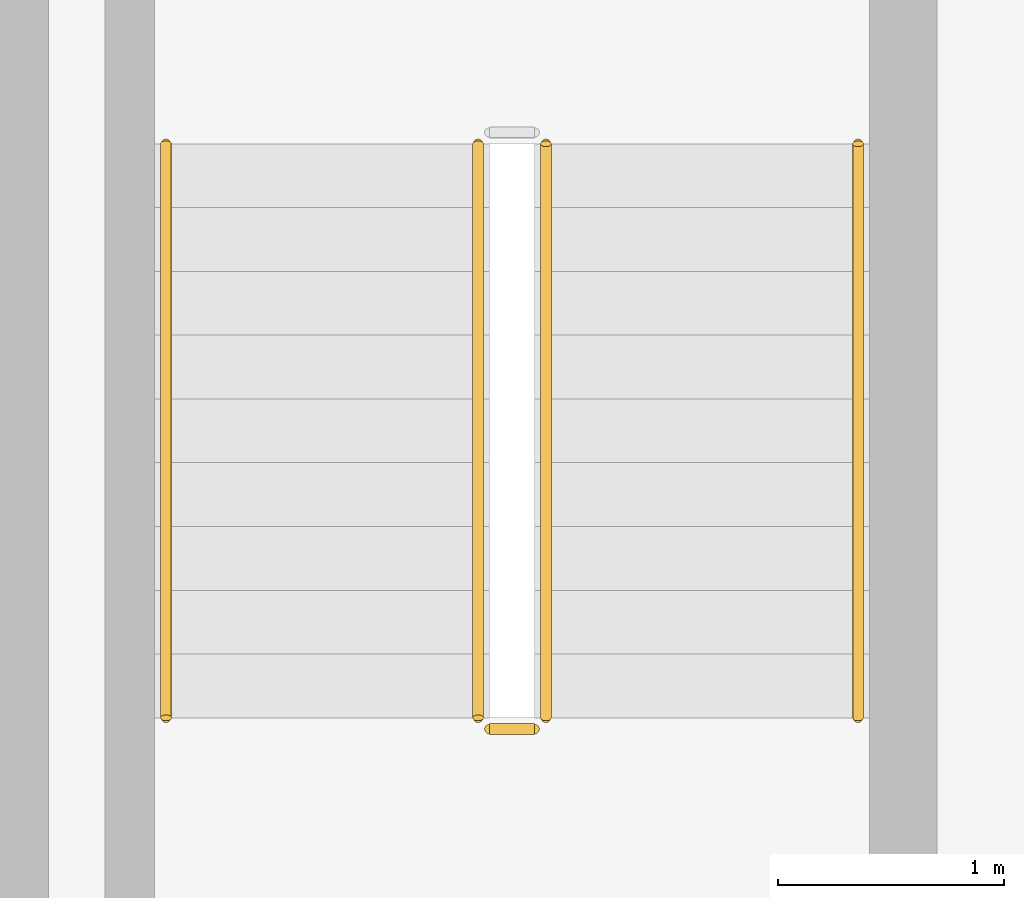
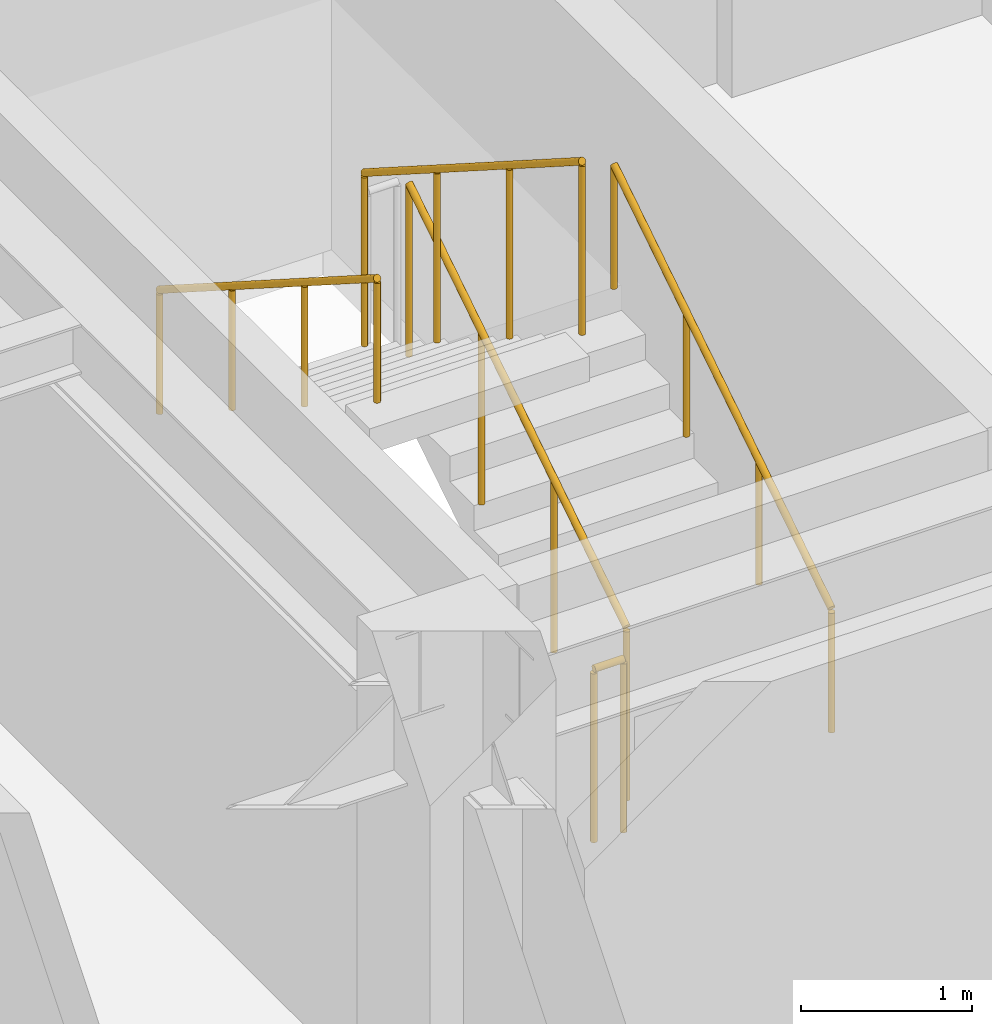
# One storey, part 12 of 14: 5 railings.
"""IFC4 building model written with IfcOpenShell, lengths in metres."""

from ifc_helpers import new_model, si_unit, direction, frame, origin, origin_2d, place, context, subcontext, project, spatial, circle, extrude, material, type_object, element, save


model = new_model("IFC4")

# Units and contexts
model_context = context("Model", 3, precision=1e-05, world=origin(), true_north=direction((0.0, 1.0)))
body_context = subcontext(model_context, "Body", "Model", "MODEL_VIEW")
ifc_project = project(units=[si_unit("LENGTHUNIT", "METRE"), si_unit("AREAUNIT", "SQUARE_METRE"), si_unit("VOLUMEUNIT", "CUBIC_METRE"), si_unit("PLANEANGLEUNIT", "RADIAN"), si_unit("MASSUNIT", "GRAM", prefix="KILO")], contexts=[model_context])

# Site, building, storey
site_placement = place(None, origin())
site = spatial("IfcSite", under=ifc_project, at=site_placement, CompositionType="ELEMENT")
building_placement = place(site_placement, origin())
building = spatial("IfcBuilding", under=site, at=building_placement, Name="Ochreholt Gables", CompositionType="ELEMENT")
storey_placement = place(building_placement, frame((0.0, 0.0, 109.800048828125)))
storey = spatial("IfcBuildingStorey", under=building, at=storey_placement, Name="L28", CompositionType="ELEMENT", Elevation=109.800048828125)

# Railings
ifc_material_1 = material(Name="Painted Steel Stair Guardrail", Category="steel")
railing_type_1 = type_object("IfcRailingType", Name="RL-ST-GUARD", PredefinedType="GUARDRAIL", material=ifc_material_1)
railing_1_placement = place(storey_placement, frame((26.64990234375, 32.4599609375, 0.179931640625)))
element("IfcRailing", 1, at=railing_1_placement, inside=storey, type_object=railing_type_1, Name="L28 ST-2 stair guard 1", PredefinedType="GUARDRAIL", context=body_context, shape_type="SweptSolid", body=[
    extrude(circle(Radius=0.02392578125, at=origin_2d()), frame((0.0, 0.0, 1.22607421875), z_axis=(0.0, 0.842912820907, 0.538050161556), x_axis=(-1.0, 0.0, 0.0)), (0.0, 0.0, 1.0), 3.010986328125),
    extrude(circle(Radius=0.02099609375, at=origin_2d()), origin(), (0.0, 0.0, 1.0), 1.201904296875),
    extrude(circle(Radius=0.02099609375, at=origin_2d()), frame((0.0, 0.845947265625, 0.5400390625)), (0.0, 0.0, 1.0), 1.201904296875),
    extrude(circle(Radius=0.02099609375, at=origin_2d()), frame((0.0, 1.692138671875, 1.080078125)), (0.0, 0.0, 1.0), 1.201904296875),
    extrude(circle(Radius=0.02099609375, at=origin_2d()), frame((0.0, 2.5380859375, 1.6201171875)), (0.0, 0.0, 1.0), 1.201904296875),
])
railing_2_placement = place(storey_placement, frame((26.35009765625, 34.998046875, 1.97998046875)))
element("IfcRailing", 2, at=railing_2_placement, inside=storey, type_object=railing_type_1, Name="L28 ST-2 stair guard 3", PredefinedType="GUARDRAIL", context=body_context, shape_type="SweptSolid", body=[
    extrude(circle(Radius=0.02392578125, at=origin_2d()), frame((0.0, 0.0, 1.22607421875), z_axis=(0.0, -0.842949592929, 0.537992549931), x_axis=(1.0, 0.0, 0.0)), (0.0, 0.0, 1.0), 3.010986328125),
    extrude(circle(Radius=0.02099609375, at=origin_2d()), origin(), (0.0, 0.0, 1.0), 1.201904296875),
    extrude(circle(Radius=0.02099609375, at=origin_2d()), frame((0.0, -0.845947265625, 0.5400390625)), (0.0, 0.0, 1.0), 1.201904296875),
    extrude(circle(Radius=0.02099609375, at=origin_2d()), frame((0.0, -1.692138671875, 1.079833984375)), (0.0, 0.0, 1.0), 1.201904296875),
    extrude(circle(Radius=0.02099609375, at=origin_2d()), frame((0.0, -2.5380859375, 1.619873046875)), (0.0, 0.0, 1.0), 1.201904296875),
])
railing_3_placement = place(storey_placement, frame((26.60009765625, 32.409912109375, 0.0)))
element("IfcRailing", 3, at=railing_3_placement, inside=storey, type_object=railing_type_1, Name="L28 ST-2 stair guard 4", PredefinedType="GUARDRAIL", context=body_context, shape_type="SweptSolid", body=[
    extrude(circle(Radius=0.02392578125, at=origin_2d()), frame((0.0, 0.0, 1.22607421875), z_axis=(-1.0, 0.0, 0.0), x_axis=(0.0, -1.0, 0.0)), (0.0, 0.0, 1.0), 0.2001953125),
    extrude(circle(Radius=0.02099609375, at=origin_2d()), origin(), (0.0, 0.0, 1.0), 1.201904296875),
    extrude(circle(Radius=0.02099609375, at=origin_2d()), frame((-0.2001953125, 0.0, 0.0)), (0.0, 0.0, 1.0), 1.201904296875),
])
ifc_material_2 = material(Name="Brushed Stainless Steel Wall Handrail", Category="steel")
railing_type_2 = type_object("IfcRailingType", Name="RL-ST-HAND", PredefinedType="HANDRAIL", material=ifc_material_2)
railing_4_placement = place(storey_placement, frame((28.030029296875, 32.4599609375, 0.179931640625)))
element("IfcRailing", 4, at=railing_4_placement, inside=storey, type_object=railing_type_2, Name="L28 ST-2 stair handrail 1", PredefinedType="HANDRAIL", context=body_context, shape_type="SweptSolid", body=[
    extrude(circle(Radius=0.02392578125, at=origin_2d()), frame((0.0, 0.0, 0.8759765625), z_axis=(0.0, 0.842912820907, 0.538050161556), x_axis=(-1.0, 0.0, 0.0)), (0.0, 0.0, 1.0), 3.010986328125),
    extrude(circle(Radius=0.02099609375, at=origin_2d()), origin(), (0.0, 0.0, 1.0), 0.851806640625),
    extrude(circle(Radius=0.02099609375, at=origin_2d()), frame((0.0, 0.845947265625, 0.5400390625)), (0.0, 0.0, 1.0), 0.851806640625),
    extrude(circle(Radius=0.02099609375, at=origin_2d()), frame((0.0, 1.692138671875, 1.080078125)), (0.0, 0.0, 1.0), 0.851806640625),
    extrude(circle(Radius=0.02099609375, at=origin_2d()), frame((0.0, 2.5380859375, 1.6201171875)), (0.0, 0.0, 1.0), 0.851806640625),
])
railing_5_placement = place(storey_placement, frame((24.969970703125, 34.998046875, 1.97998046875)))
element("IfcRailing", 5, at=railing_5_placement, inside=storey, type_object=railing_type_2, Name="L28 ST-2 stair handrail 2", PredefinedType="HANDRAIL", context=body_context, shape_type="SweptSolid", body=[
    extrude(circle(Radius=0.02392578125, at=origin_2d()), frame((0.0, 0.0, 0.8759765625), z_axis=(0.0, -0.842949592929, 0.537992549931), x_axis=(1.0, 0.0, 0.0)), (0.0, 0.0, 1.0), 3.010986328125),
    extrude(circle(Radius=0.02099609375, at=origin_2d()), origin(), (0.0, 0.0, 1.0), 0.851806640625),
    extrude(circle(Radius=0.02099609375, at=origin_2d()), frame((0.0, -0.845947265625, 0.5400390625)), (0.0, 0.0, 1.0), 0.851806640625),
    extrude(circle(Radius=0.02099609375, at=origin_2d()), frame((0.0, -1.692138671875, 1.079833984375)), (0.0, 0.0, 1.0), 0.851806640625),
    extrude(circle(Radius=0.02099609375, at=origin_2d()), frame((0.0, -2.5380859375, 1.619873046875)), (0.0, 0.0, 1.0), 0.851806640625),
])

save(model, "model.ifc")
